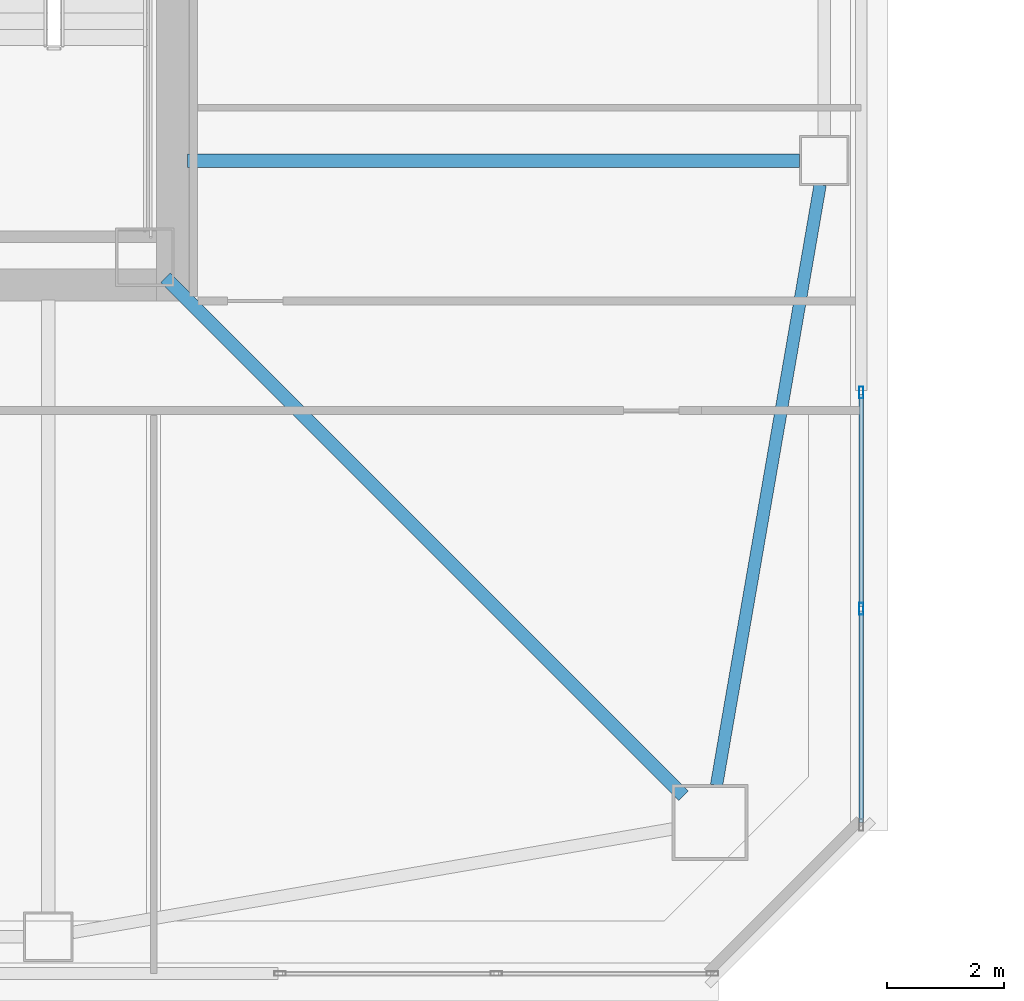
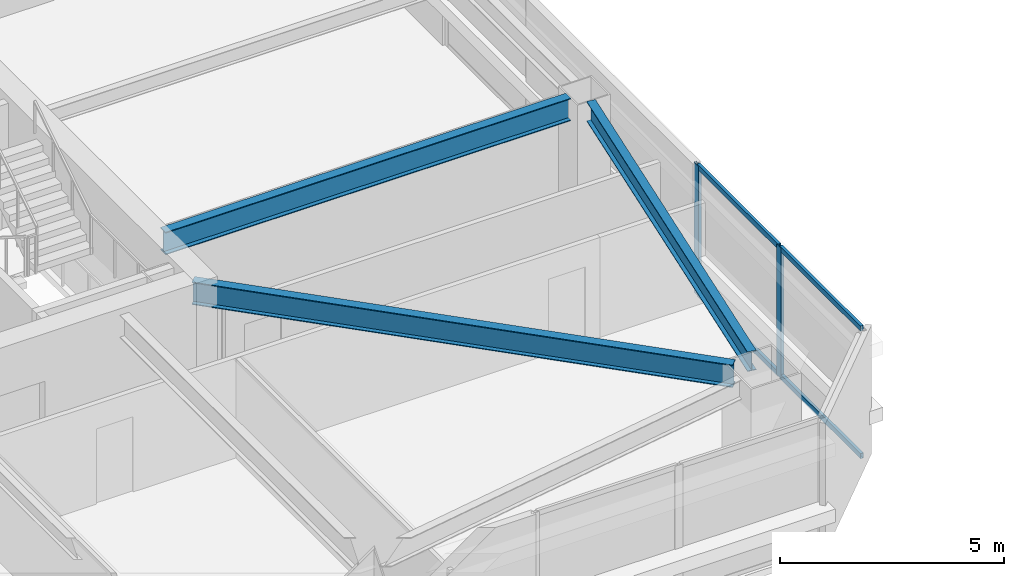
# One storey, part 9 of 44: 6 members, 3 beams, 1 element without a shape of its own.
"""IFC4 building model written with IfcOpenShell, lengths in metres."""

from ifc_helpers import new_model, si_unit, direction, frame, origin, origin_2d, place, context, subcontext, project, spatial, hollow_rectangle, i_section, extrude, material, material_profile, profile_set, type_object, element, aggregate, save


model = new_model("IFC4")

# Units and contexts
model_context = context("Model", 3, precision=1e-05, world=origin(), true_north=direction((0.0, 1.0)))
body_context = subcontext(model_context, "Body", "Model", "MODEL_VIEW")
ifc_project = project(units=[si_unit("LENGTHUNIT", "METRE"), si_unit("AREAUNIT", "SQUARE_METRE"), si_unit("VOLUMEUNIT", "CUBIC_METRE"), si_unit("PLANEANGLEUNIT", "RADIAN"), si_unit("MASSUNIT", "GRAM", prefix="KILO")], contexts=[model_context])

# Site, building, storey
site_placement = place(None, origin())
site = spatial("IfcSite", under=ifc_project, at=site_placement, CompositionType="ELEMENT")
building_placement = place(site_placement, origin())
building = spatial("IfcBuilding", under=site, at=building_placement, Name="Tashvorn Skyway Center", CompositionType="ELEMENT")
storey_placement = place(building_placement, frame((0.0, 0.0, 128.60009765625)))
storey = spatial("IfcBuildingStorey", under=building, at=storey_placement, Name="L34", CompositionType="ELEMENT", Elevation=128.60009765625)

# Beams
ifc_material_1 = material(Name="Steel ASTM A992 Grade 50", Category="steel")
ifc_material_profile_1 = material_profile(ifc_material_1, i_section(OverallWidth=0.22998046875, OverallDepth=0.616943359375, WebThickness=0.01318359375, FlangeThickness=0.022216796875, at=origin_2d()), Name="W24X94")
ifc_profile_set_1 = profile_set([ifc_material_profile_1], Name="Steel ASTM A992 Grade 50")
beam_type_1 = type_object("IfcBeamType", Name="BM-BEAM-W24X94", PredefinedType="BEAM", material=ifc_profile_set_1)
beam_1_placement = place(storey_placement, frame((58.243896484375, 15.756103515625, 3.0615234375), z_axis=(-0.707106781187, 0.707106781187, 0.0), x_axis=(-0.707106781187, -0.707106781187, 0.0)))
element("IfcBeam", 1, at=beam_1_placement, inside=storey, type_object=beam_type_1, Name="Tower 1 L34 Primary Floor Girder MC-SE", PredefinedType="BEAM", context=body_context, shape_type="SweptSolid", body=[
    extrude(i_section(OverallWidth=0.22998046875, OverallDepth=0.616943359375, WebThickness=0.01318359375, FlangeThickness=0.022216796875, at=origin_2d()), origin(), (0.0, 0.0, 1.0), 12.50732421875),
])
beam_2_placement = place(storey_placement, frame((60.22998046875, 26.60009765625, 3.0615234375), z_axis=(-1.0, 0.0, 0.0), x_axis=(0.0, -1.0, 0.0)))
element("IfcBeam", 2, at=beam_2_placement, inside=storey, type_object=beam_type_1, Name="Tower 1 L34 Primary Floor Girder FC-E1", PredefinedType="BEAM", context=body_context, shape_type="SweptSolid", body=[
    extrude(i_section(OverallWidth=0.22998046875, OverallDepth=0.616943359375, WebThickness=0.01318359375, FlangeThickness=0.022216796875, at=origin_2d()), origin(), (0.0, 0.0, 1.0), 10.449951171875),
])
ifc_material_profile_2 = material_profile(ifc_material_1, i_section(OverallWidth=0.2109375, OverallDepth=0.5390625, WebThickness=0.01171875, FlangeThickness=0.018798828125, at=origin_2d()), Name="W21X73")
ifc_profile_set_2 = profile_set([ifc_material_profile_2], Name="Steel ASTM A992 Grade 50")
beam_type_2 = type_object("IfcBeamType", Name="BM-SPANDREL-W21X73", PredefinedType="SPANDREL", material=ifc_profile_set_2)
beam_3_placement = place(storey_placement, frame((58.8095703125, 15.935546875, 3.100341796875), z_axis=(0.170067250846, 0.985432458462, 0.0), x_axis=(-0.985432458462, 0.170067250846, 0.0)))
element("IfcBeam", 3, at=beam_3_placement, inside=storey, type_object=beam_type_2, Name="Tower 1 L34 Spandrel Beam 04", PredefinedType="SPANDREL", context=body_context, shape_type="SweptSolid", body=[
    extrude(i_section(OverallWidth=0.2109375, OverallDepth=0.5390625, WebThickness=0.01171875, FlangeThickness=0.018798828125, at=origin_2d()), origin(), (0.0, 0.0, 1.0), 10.402099609375),
])

# Curtain wall, members
ifc_material_2 = material(Name="Thermally broken bronze-anodized aluminium 6063-T6", Category="aluminium")
curtain_wall_type = type_object("IfcCurtainWallType", Name="CW-CW-Z3", PredefinedType="NOTDEFINED", material=ifc_material_2)
curtain_wall_placement = place(storey_placement, origin())
curtain_wall = element("IfcCurtainWall", 4, at=curtain_wall_placement, inside=storey, type_object=curtain_wall_type, Name="Tower 1 L34 East Unitised Curtain Wall Glazing Group 3", PredefinedType="NOTDEFINED")
ifc_material_profile_3 = material_profile(ifc_material_2, hollow_rectangle(XDim=0.074951171875, YDim=0.199951171875, WallThickness=0.00439453125, at=origin_2d()), Name="ALU-MULL-75x200")
ifc_profile_set_3 = profile_set([ifc_material_profile_3], Name="Thermally broken bronze-anodized aluminium 6063-T6")
member_type_1 = type_object("IfcMemberType", Name="CWM-CW-Z3", PredefinedType="MULLION", material=ifc_profile_set_3)
member_1_placement = place(storey_placement, frame((61.280029296875, 22.640380859375, 0.0), z_axis=(0.0, 0.0, 1.0), x_axis=(1.0, 0.0, 0.0)))
member_1 = element("IfcMember", 5, at=member_1_placement, type_object=member_type_1, Name="CW-Z3 mullion 1", PredefinedType="MULLION", context=body_context, shape_type="SweptSolid", body=[
    extrude(hollow_rectangle(XDim=0.074951171875, YDim=0.199951171875, WallThickness=0.00439453125, at=origin_2d()), origin(), (0.0, 0.0, 1.0), 3.5498046875),
])
member_2_placement = place(storey_placement, frame((61.280029296875, 18.948974609375, 0.0), z_axis=(0.0, 0.0, 1.0), x_axis=(1.0, 0.0, 0.0)))
member_2 = element("IfcMember", 6, at=member_2_placement, type_object=member_type_1, Name="CW-Z3 mullion 2", PredefinedType="MULLION", context=body_context, shape_type="SweptSolid", body=[
    extrude(hollow_rectangle(XDim=0.074951171875, YDim=0.199951171875, WallThickness=0.00439453125, at=origin_2d()), origin(), (0.0, 0.0, 1.0), 3.5498046875),
])
ifc_material_profile_4 = material_profile(ifc_material_2, hollow_rectangle(XDim=0.074951171875, YDim=0.139892578125, WallThickness=0.004150390625, at=origin_2d()), Name="ALU-TRAN-75x140")
ifc_profile_set_4 = profile_set([ifc_material_profile_4], Name="Thermally broken bronze-anodized aluminium 6063-T6")
member_type_2 = type_object("IfcMemberType", Name="CWT-CW-Z3", PredefinedType="USERDEFINED", material=ifc_profile_set_4)
member_3_placement = place(storey_placement, frame((61.280029296875, 22.602783203125, 0.037353515625), z_axis=(0.0, -1.0, 0.0), x_axis=(1.0, 0.0, 0.0)))
member_3 = element("IfcMember", 7, at=member_3_placement, type_object=member_type_2, Name="CW-Z3 transom 1.1", ObjectType="TRANSOM", PredefinedType="USERDEFINED", context=body_context, shape_type="SweptSolid", body=[
    extrude(hollow_rectangle(XDim=0.074951171875, YDim=0.139892578125, WallThickness=0.004150390625, at=origin_2d()), origin(), (0.0, 0.0, 1.0), 3.616455078125),
])
member_4_placement = place(storey_placement, frame((61.280029296875, 22.602783203125, 3.512451171875), z_axis=(0.0, -1.0, 0.0), x_axis=(1.0, 0.0, 0.0)))
member_4 = element("IfcMember", 8, at=member_4_placement, type_object=member_type_2, Name="CW-Z3 transom 1.2", ObjectType="TRANSOM", PredefinedType="USERDEFINED", context=body_context, shape_type="SweptSolid", body=[
    extrude(hollow_rectangle(XDim=0.074951171875, YDim=0.139892578125, WallThickness=0.004150390625, at=origin_2d()), origin(), (0.0, 0.0, 1.0), 3.616455078125),
])
member_5_placement = place(storey_placement, frame((61.280029296875, 18.911376953125, 0.037353515625), z_axis=(0.0, -1.0, 0.0), x_axis=(1.0, 0.0, 0.0)))
member_5 = element("IfcMember", 9, at=member_5_placement, type_object=member_type_2, Name="CW-Z3 transom 2.1", ObjectType="TRANSOM", PredefinedType="USERDEFINED", context=body_context, shape_type="SweptSolid", body=[
    extrude(hollow_rectangle(XDim=0.074951171875, YDim=0.139892578125, WallThickness=0.004150390625, at=origin_2d()), origin(), (0.0, 0.0, 1.0), 3.616455078125),
])
member_6_placement = place(storey_placement, frame((61.280029296875, 18.911376953125, 3.512451171875), z_axis=(0.0, -1.0, 0.0), x_axis=(1.0, 0.0, 0.0)))
member_6 = element("IfcMember", 10, at=member_6_placement, type_object=member_type_2, Name="CW-Z3 transom 2.2", ObjectType="TRANSOM", PredefinedType="USERDEFINED", context=body_context, shape_type="SweptSolid", body=[
    extrude(hollow_rectangle(XDim=0.074951171875, YDim=0.139892578125, WallThickness=0.004150390625, at=origin_2d()), origin(), (0.0, 0.0, 1.0), 3.616455078125),
])
aggregate(curtain_wall, [member_1, member_2, member_3, member_4, member_5, member_6])

save(model, "model.ifc")
